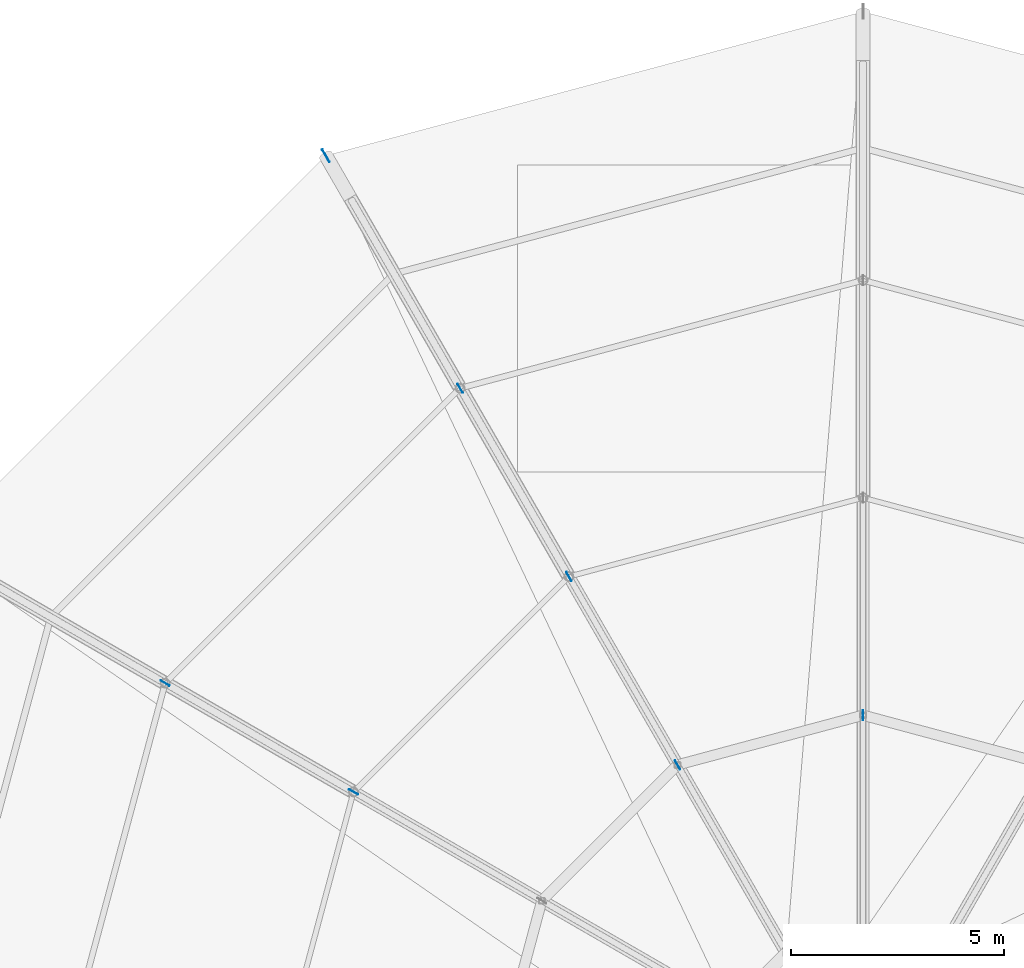
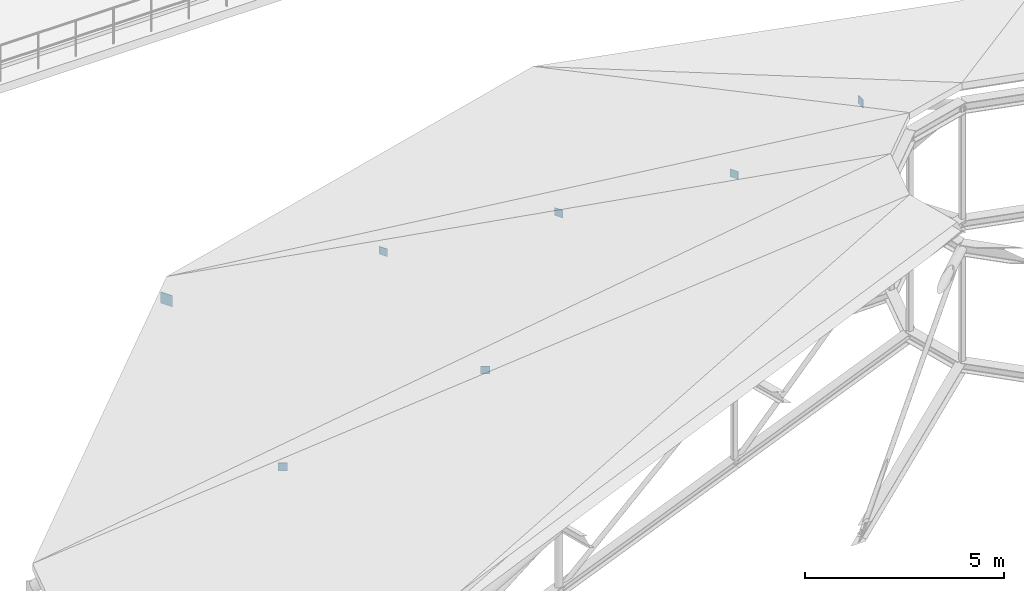
# One storey, part 44 of 58: 7 plates.
"""IFC4 building model written with IfcOpenShell, lengths in metres."""

from ifc_helpers import new_model, si_unit, derived_unit, direction, frame, origin, origin_2d, place, context, subcontext, project, spatial, rectangle, extrude, material, layer, layer_set, type_object, element, save


model = new_model("IFC4")

# Units and contexts
model_context = context("Model", 3, precision=1e-05, world=origin(), true_north=direction((0.0, 1.0)))
body_context = subcontext(model_context, "Body", "Model", "MODEL_VIEW")
ifc_project = project(units=[si_unit("LENGTHUNIT", "METRE"), si_unit("AREAUNIT", "SQUARE_METRE"), si_unit("VOLUMEUNIT", "CUBIC_METRE"), si_unit("PLANEANGLEUNIT", "RADIAN"), si_unit("MASSUNIT", "GRAM", prefix="KILO"), derived_unit("THERMALTRANSMITTANCEUNIT", [(si_unit("POWERUNIT", "WATT"), 1), (si_unit("AREAUNIT", "SQUARE_METRE"), -1), (si_unit("THERMODYNAMICTEMPERATUREUNIT", "KELVIN"), -1)])], contexts=[model_context])

# Site, building, storey
site_placement = place(None, origin())
site = spatial("IfcSite", under=ifc_project, at=site_placement, CompositionType="ELEMENT")
building_placement = place(site_placement, origin())
building = spatial("IfcBuilding", under=site, at=building_placement, Name="Yasenodar Specialist Clinic", CompositionType="ELEMENT")
storey_placement = place(building_placement, frame((0.0, 0.0, 21.300048828125)))
storey = spatial("IfcBuildingStorey", under=building, at=storey_placement, Name="L05", CompositionType="ELEMENT", Elevation=21.300048828125)

# Plates
ifc_material = material(Name="Steel S355", Category="steel")
ifc_layer_1 = layer(ifc_material, 0.02001953125)
ifc_layer_set_1 = layer_set([ifc_layer_1], Name="Steel S355")
plate_type_1 = type_object("IfcPlateType", Name="PL-STEEL-03", PredefinedType="SHEET", material=ifc_layer_set_1)
plate_placement = place(storey_placement, frame((68.39990234375, 80.623779296875, -0.8701171875), z_axis=(0.0, 0.0, 1.0), x_axis=(-0.5, 0.866025403784, 0.0)))
element("IfcPlate", 1, at=plate_placement, inside=storey, type_object=plate_type_1, Name="L05 Hollow Section End-Cap Plate 0063", PredefinedType="SHEET", context=body_context, shape_type="SweptSolid", body=[
    extrude(rectangle(XDim=0.340087890625, YDim=0.02001953125, at=origin_2d()), origin(), (0.0, 0.0, 1.0), 0.340087890625),
])
ifc_layer_2 = layer(ifc_material, 0.01611328125)
ifc_layer_set_2 = layer_set([ifc_layer_2], Name="Steel S355")
plate_type_2 = type_object("IfcPlateType", Name="PL-STEEL-05", PredefinedType="USERDEFINED", material=ifc_layer_set_2)
for number, where, z_axis, x_axis, name in (
    (2, (81.0, 67.5, 8.80517578125), (0.0, 0.0, 1.0), (0.0, 1.0, 0.0), "L05 Hollow Section End-Cap Plate 0061"),
    (3, (71.550048828125, 75.16796875, 2.85498046875), (0.0, 0.0, 1.0), (-0.5, 0.866025403784, 0.0), "L05 Hollow Section End-Cap Plate 0064"),
    (4, (74.10009765625, 70.751220703125, 5.830078125), (0.0, 0.0, 1.0), (-0.5, 0.866025403784, 0.0), "L05 Hollow Section End-Cap Plate 0065"),
    (5, (76.64990234375, 66.33447265625, 8.80517578125), (0.0, 0.0, 1.0), (-0.5, 0.866025403784, 0.0), "L05 Hollow Section End-Cap Plate 0066"),
    (6, (64.632080078125, 68.25, 2.85498046875), (0.0, 0.0, 1.0), (-0.866025403784, 0.5, 0.0), "L05 Hollow Section End-Cap Plate 0069"),
    (7, (69.048828125, 65.699951171875, 5.830078125), (0.0, 0.0, 1.0), (-0.866025403784, 0.5, 0.0), "L05 Hollow Section End-Cap Plate 0070"),
):
    element("IfcPlate", number, at=place(storey_placement, frame(where, z_axis=z_axis, x_axis=x_axis)), inside=storey, type_object=plate_type_2, Name=name, ObjectType="CAP_PLATE", PredefinedType="USERDEFINED", context=body_context, shape_type="SweptSolid", body=[
        extrude(rectangle(XDim=0.239990234375, YDim=0.01611328125, at=origin_2d()), origin(), (0.0, 0.0, 1.0), 0.239990234375),
    ])

save(model, "model.ifc")
